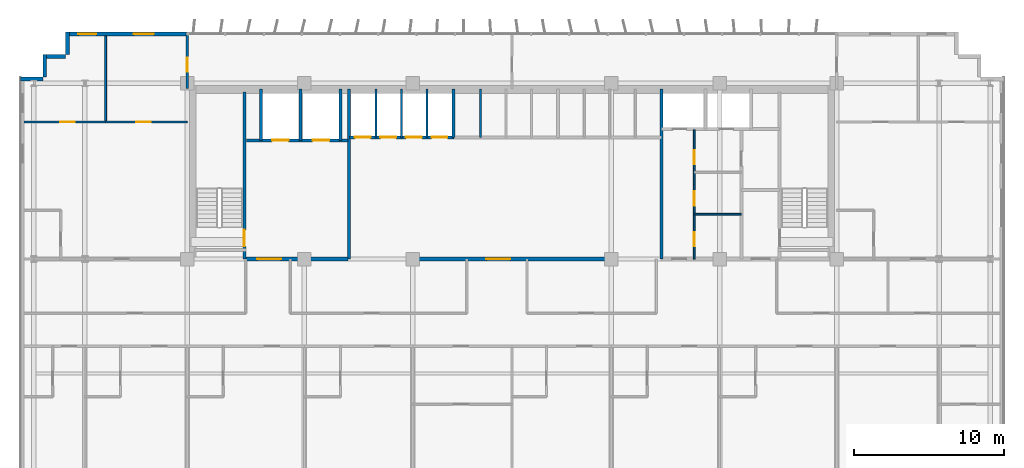
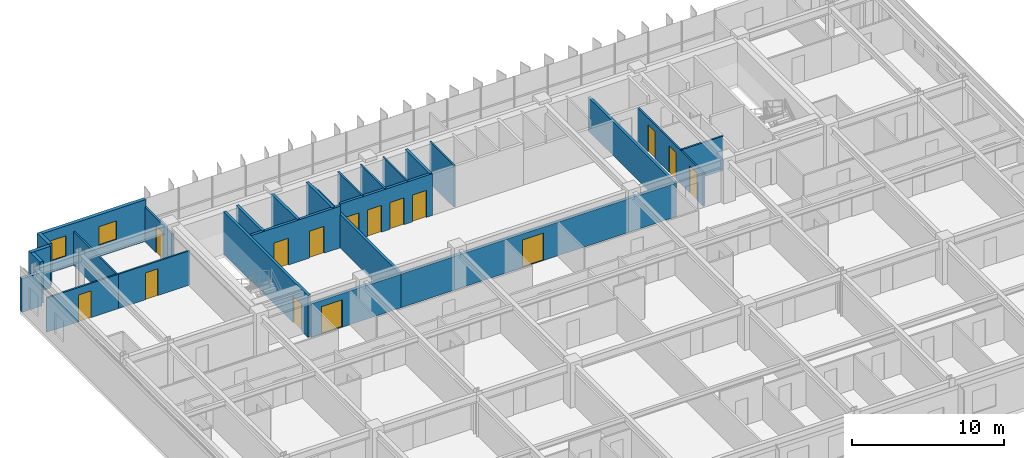
# One storey, part 19 of 24: 26 walls, 15 doors, 2 windows, 17 openings.
"""IFC4 building model written with IfcOpenShell, lengths in metres."""

from ifc_helpers import new_model, si_unit, direction, frame, frame_2d, origin, place, context, subcontext, project, spatial, rectangle, extrude, source, transform, mapped, material, layer, layer_set, type_object, element, fill, save


model = new_model("IFC4")

# Units and contexts
model_context = context("Model", 3, precision=1e-05, world=origin(), true_north=direction((0.0, 1.0)))
body_context = subcontext(model_context, "Body", "Model", "MODEL_VIEW")
ifc_project = project(units=[si_unit("LENGTHUNIT", "METRE"), si_unit("AREAUNIT", "SQUARE_METRE"), si_unit("VOLUMEUNIT", "CUBIC_METRE"), si_unit("PLANEANGLEUNIT", "RADIAN"), si_unit("MASSUNIT", "GRAM", prefix="KILO")], contexts=[model_context])

# Site, building, storey
site_placement = place(None, origin())
site = spatial("IfcSite", under=ifc_project, at=site_placement, CompositionType="ELEMENT")
building_placement = place(site_placement, origin())
building = spatial("IfcBuilding", under=site, at=building_placement, Name="Trelvane Seafront Commons", CompositionType="ELEMENT")
storey_placement = place(building_placement, frame((0.0, 0.0, 30.699951171875)))
storey = spatial("IfcBuildingStorey", under=building, at=storey_placement, Name="L07", CompositionType="ELEMENT", Elevation=30.699951171875)

# Wall, openings, windows
ifc_material_1 = material(Name="Precast concrete C40/50", Category="concrete")
ifc_layer_1 = layer(ifc_material_1, 0.260009765625, Name="ARCH-WALL-EXT260")
ifc_layer_set_1 = layer_set([ifc_layer_1], Name="Precast concrete C40/50")
wall_type_1 = type_object("IfcWallType", Name="ARCH-WALL-EXT260", PredefinedType="SOLIDWALL", material=ifc_layer_set_1)
wall_1_placement = place(storey_placement, frame((7.60009765625, 48.3701171875, 0.0), z_axis=(0.0, 0.0, 1.0), x_axis=(1.0, 0.0, 0.0)))
wall_1 = element("IfcWall", 1, at=wall_1_placement, inside=storey, type_object=wall_type_1, Name="EW-L07-NW-0087", PredefinedType="SOLIDWALL", context=body_context, shape_type="SweptSolid", body=[
    extrude(rectangle(XDim=8.0, YDim=0.260009765625, at=frame_2d((4.0, 0.0))), origin(), (0.0, 0.0, 1.0), 3.340087890625),
])
opening_1_placement = place(wall_1_placement, frame((0.76806640625, 0.0, 0.89990234375)))
opening_1 = element("IfcOpeningElement", 2, at=opening_1_placement, cuts=wall_1, Name="Opening W05", PredefinedType="OPENING", context=body_context, shape_type="SweptSolid", body=[
    extrude(rectangle(XDim=1.199951171875, YDim=1.64990234375, at=frame_2d((0.60009765625, 0.824951171875))), frame((0.0, 0.139892578125, 0.0), z_axis=(0.0, -1.0, 0.0), x_axis=(1.0, 0.0, 0.0)), (0.0, 0.0, 1.0), 0.280029296875),
])
opening_2_placement = place(wall_1_placement, frame((4.44091796875, 0.0, 0.89990234375)))
opening_2 = element("IfcOpeningElement", 3, at=opening_2_placement, cuts=wall_1, Name="Opening W09", PredefinedType="OPENING", context=body_context, shape_type="SweptSolid", body=[
    extrude(rectangle(XDim=1.35009765625, YDim=1.5, at=frame_2d((0.675048828125, 0.75))), frame((0.0, 0.139892578125, 0.0), z_axis=(0.0, -1.0, 0.0), x_axis=(1.0, 0.0, 0.0)), (0.0, 0.0, 1.0), 0.280029296875),
])
ifc_material_2 = material(Name="Low-E coastal double glazing", Category="glass")
window_type_1 = type_object("IfcWindowType", Name="ARCH-WIN-W09", PartitioningType="SINGLE_PANEL", PredefinedType="WINDOW", material=ifc_material_2)
shared_shape_1 = source(origin(), body_context, "Body", "SweptSolid", [
    extrude(rectangle(XDim=1.35009765625, YDim=1.5, at=frame_2d((0.675048828125, 0.75))), frame((0.0, 0.030029296875, 0.0), z_axis=(0.0, -1.0, 0.0), x_axis=(1.0, 0.0, 0.0)), (0.0, 0.0, 1.0), 0.06005859375),
])
window_1_placement = place(opening_2_placement, origin())
window_1 = element("IfcWindow", 4, at=window_1_placement, inside=storey, type_object=window_type_1, Name="WIN-L07-00129", OverallHeight=1.5, OverallWidth=1.35009765625, PartitioningType="SINGLE_PANEL", PredefinedType="WINDOW", context=body_context, shape_type="MappedRepresentation", body=[
    mapped(shared_shape_1, transform((0.0, 0.0, 0.0), x_axis=(1.0, 0.0, 0.0), y_axis=(0.0, 1.0, 0.0), z_axis=(0.0, 0.0, 1.0), scale=1.0)),
])
fill(opening_2, window_1)
window_type_2 = type_object("IfcWindowType", Name="ARCH-WIN-W05", PartitioningType="SINGLE_PANEL", PredefinedType="WINDOW", material=ifc_material_2)
shared_shape_2 = source(origin(), body_context, "Body", "SweptSolid", [
    extrude(rectangle(XDim=1.199951171875, YDim=1.64990234375, at=frame_2d((0.60009765625, 0.824951171875))), frame((0.0, 0.030029296875, 0.0), z_axis=(0.0, -1.0, 0.0), x_axis=(1.0, 0.0, 0.0)), (0.0, 0.0, 1.0), 0.06005859375),
])
window_2_placement = place(opening_1_placement, origin())
window_2 = element("IfcWindow", 5, at=window_2_placement, inside=storey, type_object=window_type_2, Name="WIN-L07-00128", OverallHeight=1.64990234375, OverallWidth=1.199951171875, PartitioningType="SINGLE_PANEL", PredefinedType="WINDOW", context=body_context, shape_type="MappedRepresentation", body=[
    mapped(shared_shape_2, transform((0.0, 0.0, 0.0), x_axis=(1.0, 0.0, 0.0), y_axis=(0.0, 1.0, 0.0), z_axis=(0.0, 0.0, 1.0), scale=1.0)),
])
fill(opening_1, window_2)

# Walls
wall_2_placement = place(storey_placement, frame((4.5, 45.3701171875, 0.0), z_axis=(0.0, 0.0, 1.0), x_axis=(1.0, 0.0, 0.0)))
element("IfcWall", 6, at=wall_2_placement, inside=storey, type_object=wall_type_1, Name="EW-L07-00093", PredefinedType="SOLIDWALL", context=body_context, shape_type="SweptSolid", body=[
    extrude(rectangle(XDim=1.5, YDim=0.260009765625, at=frame_2d((0.75, 0.0))), origin(), (0.0, 0.0, 1.0), 2.68994140625),
])
for number, where, z_axis, x_axis, name in (
    (7, (6.1298828125, 45.5, 0.0), (0.0, 0.0, 1.0), (0.0, 1.0, 0.0), "EW-L07-00094"),
    (8, (6.0, 46.8701171875, 0.0), (0.0, 0.0, 1.0), (1.0, 0.0, 0.0), "EW-L07-00095"),
    (9, (7.6298828125, 47.0, 0.0), (0.0, 0.0, 1.0), (0.0, 1.0, 0.0), "EW-L07-00096"),
):
    element("IfcWall", number, at=place(storey_placement, frame(where, z_axis=z_axis, x_axis=x_axis)), inside=storey, type_object=wall_type_1, Name=name, PredefinedType="SOLIDWALL", context=body_context, shape_type="SweptSolid", body=[
        extrude(rectangle(XDim=1.5, YDim=0.260009765625, at=frame_2d((0.75, 0.0))), origin(), (0.0, 0.0, 1.0), 3.340087890625),
    ])

# Wall, opening, door
ifc_material_3 = material(Name="Concrete C40/50", Category="concrete")
ifc_layer_2 = layer(ifc_material_3, 0.25, Name="ARCH-WALL-FIRE250")
ifc_layer_set_2 = layer_set([ifc_layer_2], Name="Concrete C40/50")
wall_type_2 = type_object("IfcWallType", Name="ARCH-WALL-FIRE250", PredefinedType="PARTITIONING", material=ifc_layer_set_2)
wall_3_placement = place(storey_placement, frame((19.5, 33.39990234375, 0.0), z_axis=(0.0, 0.0, 1.0), x_axis=(1.0, 0.0, 0.0)))
wall_3 = element("IfcWall", 10, at=wall_3_placement, inside=storey, type_object=wall_type_2, Name="W-L07-CS-FFL-013", PredefinedType="PARTITIONING", context=body_context, shape_type="SweptSolid", body=[
    extrude(rectangle(XDim=6.800048828125, YDim=0.25, at=frame_2d((3.39990234375, 0.0))), origin(), (0.0, 0.0, 1.0), 2.68994140625),
])
opening_3_placement = place(wall_3_placement, frame((0.75, 0.0, 0.0)))
opening_3 = element("IfcOpeningElement", 11, at=opening_3_placement, cuts=wall_3, Name="Opening FD-L07-05", PredefinedType="OPENING", context=body_context, shape_type="SweptSolid", body=[
    extrude(rectangle(XDim=1.60009765625, YDim=2.199951171875, at=frame_2d((0.800048828125, 1.10009765625))), frame((0.0, 0.135009765625, 0.0), z_axis=(0.0, -1.0, 0.0), x_axis=(1.0, 0.0, 0.0)), (0.0, 0.0, 1.0), 0.27001953125),
])
ifc_material_4 = material(Name="Powder-coated aluminium frame", Category="aluminium")
door_type_1 = type_object("IfcDoorType", Name="ARCH-DR-FD60-1600", OperationType="DOUBLE_DOOR_SINGLE_SWING", PredefinedType="DOOR", material=ifc_material_4)
shared_shape_3 = source(origin(), body_context, "Body", "SweptSolid", [
    extrude(rectangle(XDim=1.60009765625, YDim=2.199951171875, at=frame_2d((0.800048828125, 1.10009765625))), frame((0.0, 0.02490234375, 0.0), z_axis=(0.0, -1.0, 0.0), x_axis=(1.0, 0.0, 0.0)), (0.0, 0.0, 1.0), 0.050048828125),
])
door_1_placement = place(opening_3_placement, origin())
door_1 = element("IfcDoor", 12, at=door_1_placement, inside=storey, type_object=door_type_1, Name="L07 Firefighting Lift Lobby Double Fire Door", OperationType="DOUBLE_DOOR_SINGLE_SWING", OverallHeight=2.199951171875, OverallWidth=1.60009765625, PredefinedType="DOOR", context=body_context, shape_type="MappedRepresentation", body=[
    mapped(shared_shape_3, transform((0.0, 0.0, 0.0), x_axis=(1.0, 0.0, 0.0), y_axis=(0.0, 1.0, 0.0), z_axis=(0.0, 0.0, 1.0), scale=1.0)),
])
fill(opening_3, door_1)

wall_4_placement = place(storey_placement, frame((26.300048828125, 33.39990234375, 0.0), z_axis=(0.0, 0.0, 1.0), x_axis=(1.0, 0.0, 0.0)))
wall_4 = element("IfcWall", 13, at=wall_4_placement, inside=storey, type_object=wall_type_2, Name="W-L07-CS-PAX-029", PredefinedType="PARTITIONING", context=body_context, shape_type="SweptSolid", body=[
    extrude(rectangle(XDim=20.849853515625, YDim=0.25, at=frame_2d((10.4248046875, 0.0))), origin(), (0.0, 0.0, 1.0), 2.68994140625),
])
opening_4_placement = place(wall_4_placement, frame((9.199951171875, 0.0, 0.0)))
opening_4 = element("IfcOpeningElement", 14, at=opening_4_placement, cuts=wall_4, Name="Opening FD-L07-10", PredefinedType="OPENING", context=body_context, shape_type="SweptSolid", body=[
    extrude(rectangle(XDim=1.60009765625, YDim=2.199951171875, at=frame_2d((0.800048828125, 1.10009765625))), frame((0.0, 0.135009765625, 0.0), z_axis=(0.0, -1.0, 0.0), x_axis=(1.0, 0.0, 0.0)), (0.0, 0.0, 1.0), 0.27001953125),
])
door_2_placement = place(opening_4_placement, origin())
door_2 = element("IfcDoor", 15, at=door_2_placement, inside=storey, type_object=door_type_1, Name="L07 Passenger Lift Lobby Double Door", OperationType="DOUBLE_DOOR_SINGLE_SWING", OverallHeight=2.199951171875, OverallWidth=1.60009765625, PredefinedType="DOOR", context=body_context, shape_type="MappedRepresentation", body=[
    mapped(shared_shape_3, transform((0.0, 0.0, 0.0), x_axis=(1.0, 0.0, 0.0), y_axis=(0.0, 1.0, 0.0), z_axis=(0.0, 0.0, 1.0), scale=1.0)),
])
fill(opening_4, door_2)

# Walls
ifc_material_5 = material(Name="Gypsum Drywall Acoustic Partition")
ifc_layer_3 = layer(ifc_material_5, 0.1201171875, Name="ARCH-WALL-PART120")
ifc_layer_set_3 = layer_set([ifc_layer_3], Name="Gypsum Drywall Acoustic Partition")
wall_type_3 = type_object("IfcWallType", Name="ARCH-WALL-PART120", PredefinedType="PARTITIONING", material=ifc_layer_set_3)
for number, where, z_axis, x_axis, name in (
    (16, (28.14990234375, 41.5, 0.0), (0.0, 0.0, 1.0), (0.0, 1.0, 0.0), "W-L07-PL-DIV1-016"),
    (17, (29.85009765625, 41.5, 0.0), (0.0, 0.0, 1.0), (0.0, 1.0, 0.0), "W-L07-PL-DIV2-017"),
    (18, (31.550048828125, 41.5, 0.0), (0.0, 0.0, 1.0), (0.0, 1.0, 0.0), "W-L07-PL-DIV3-018"),
    (19, (35.10009765625, 41.5, 0.0), (0.0, 0.0, 1.0), (0.0, 1.0, 0.0), "W-L07-PM-DIV1-020"),
):
    element("IfcWall", number, at=place(storey_placement, frame(where, z_axis=z_axis, x_axis=x_axis)), inside=storey, type_object=wall_type_3, Name=name, PredefinedType="PARTITIONING", context=body_context, shape_type="SweptSolid", body=[
        extrude(rectangle(XDim=3.199951171875, YDim=0.1201171875, at=frame_2d((1.60009765625, 0.0))), origin(), (0.0, 0.0, 1.0), 3.340087890625),
    ])

# Wall, openings, doors
wall_5_placement = place(storey_placement, frame((49.320068359375, 33.39990234375, 0.0), z_axis=(0.0, 0.0, 1.0), x_axis=(0.0, 1.0, 0.0)))
wall_5 = element("IfcWall", 20, at=wall_5_placement, inside=storey, type_object=wall_type_3, Name="W-L07-CYC3-V-035", PredefinedType="PARTITIONING", context=body_context, shape_type="SweptSolid", body=[
    extrude(rectangle(XDim=8.60009765625, YDim=0.1201171875, at=frame_2d((4.300048828125, 0.0))), origin(), (0.0, 0.0, 1.0), 2.68994140625),
])
opening_5_placement = place(wall_5_placement, frame((0.85009765625, 0.0, 0.0)))
opening_5 = element("IfcOpeningElement", 21, at=opening_5_placement, cuts=wall_5, Name="Opening D-L07-14", PredefinedType="OPENING", context=body_context, shape_type="SweptSolid", body=[
    extrude(rectangle(XDim=0.949951171875, YDim=2.14990234375, at=frame_2d((0.47509765625, 1.074951171875))), frame((0.0, 0.070068359375, 0.0), z_axis=(0.0, -1.0, 0.0), x_axis=(1.0, 0.0, 0.0)), (0.0, 0.0, 1.0), 0.14013671875),
])
opening_6_placement = place(wall_5_placement, frame((3.550048828125, 0.0, 0.0)))
opening_6 = element("IfcOpeningElement", 22, at=opening_6_placement, cuts=wall_5, Name="Opening D-L07-15", PredefinedType="OPENING", context=body_context, shape_type="SweptSolid", body=[
    extrude(rectangle(XDim=0.949951171875, YDim=2.14990234375, at=frame_2d((0.47509765625, 1.074951171875))), frame((0.0, 0.070068359375, 0.0), z_axis=(0.0, -1.0, 0.0), x_axis=(1.0, 0.0, 0.0)), (0.0, 0.0, 1.0), 0.14013671875),
])
opening_7_placement = place(wall_5_placement, frame((6.300048828125, 0.0, 0.0)))
opening_7 = element("IfcOpeningElement", 23, at=opening_7_placement, cuts=wall_5, Name="Opening D-L07-16", PredefinedType="OPENING", context=body_context, shape_type="SweptSolid", body=[
    extrude(rectangle(XDim=0.949951171875, YDim=2.14990234375, at=frame_2d((0.47509765625, 1.074951171875))), frame((0.0, 0.070068359375, 0.0), z_axis=(0.0, -1.0, 0.0), x_axis=(1.0, 0.0, 0.0)), (0.0, 0.0, 1.0), 0.14013671875),
])
ifc_material_6 = material(Name="Acoustic timber door leaf", Category="wood")
door_type_2 = type_object("IfcDoorType", Name="ARCH-DR-INT950", OperationType="NOTDEFINED", PredefinedType="DOOR", material=ifc_material_6)
shared_shape_4 = source(origin(), body_context, "Body", "SweptSolid", [
    extrude(rectangle(XDim=0.949951171875, YDim=2.14990234375, at=frame_2d((0.47509765625, 1.074951171875))), frame((0.0, 0.02490234375, 0.0), z_axis=(0.0, -1.0, 0.0), x_axis=(1.0, 0.0, 0.0)), (0.0, 0.0, 1.0), 0.050048828125),
])
door_3_placement = place(opening_5_placement, origin())
door_3 = element("IfcDoor", 24, at=door_3_placement, inside=storey, type_object=door_type_2, Name="L07 Accessible WC Door", OperationType="SINGLE_SWING_RIGHT", OverallHeight=2.14990234375, OverallWidth=0.949951171875, PredefinedType="DOOR", context=body_context, shape_type="MappedRepresentation", body=[
    mapped(shared_shape_4, transform((0.0, 0.0, 0.0), x_axis=(1.0, 0.0, 0.0), y_axis=(0.0, 1.0, 0.0), z_axis=(0.0, 0.0, 1.0), scale=1.0)),
])
fill(opening_5, door_3)
door_4_placement = place(opening_6_placement, origin())
door_4 = element("IfcDoor", 25, at=door_4_placement, inside=storey, type_object=door_type_2, Name="L07 Staff WC Door", OperationType="SINGLE_SWING_LEFT", OverallHeight=2.14990234375, OverallWidth=0.949951171875, PredefinedType="DOOR", context=body_context, shape_type="MappedRepresentation", body=[
    mapped(shared_shape_4, transform((0.0, 0.0, 0.0), x_axis=(1.0, 0.0, 0.0), y_axis=(0.0, 1.0, 0.0), z_axis=(0.0, 0.0, 1.0), scale=1.0)),
])
fill(opening_6, door_4)
door_5_placement = place(opening_7_placement, origin())
door_5 = element("IfcDoor", 26, at=door_5_placement, inside=storey, type_object=door_type_2, Name="L07 Electrical Room Door", OperationType="SINGLE_SWING_RIGHT", OverallHeight=2.14990234375, OverallWidth=0.949951171875, PredefinedType="DOOR", context=body_context, shape_type="MappedRepresentation", body=[
    mapped(shared_shape_4, transform((0.0, 0.0, 0.0), x_axis=(1.0, 0.0, 0.0), y_axis=(0.0, 1.0, 0.0), z_axis=(0.0, 0.0, 1.0), scale=1.0)),
])
fill(opening_7, door_5)

# Wall
wall_6_placement = place(storey_placement, frame((49.320068359375, 36.3798828125, 0.0), z_axis=(0.0, 0.0, 1.0), x_axis=(1.0, 0.0, 0.0)))
element("IfcWall", 27, at=wall_6_placement, inside=storey, type_object=wall_type_3, Name="W-L07-CYC3-H1-036", PredefinedType="PARTITIONING", context=body_context, shape_type="SweptSolid", body=[
    extrude(rectangle(XDim=3.1298828125, YDim=0.1201171875, at=frame_2d((1.56494140625, 0.0))), origin(), (0.0, 0.0, 1.0), 2.751953125),
])

# Wall, opening, door
wall_7_placement = place(storey_placement, frame((4.75, 42.52001953125, 0.0), z_axis=(0.0, 0.0, 1.0), x_axis=(1.0, 0.0, 0.0)))
wall_7 = element("IfcWall", 28, at=wall_7_placement, inside=storey, type_object=wall_type_3, Name="W-L07-NW-KB1-052", PredefinedType="PARTITIONING", context=body_context, shape_type="SweptSolid", body=[
    extrude(rectangle(XDim=5.425048828125, YDim=0.1201171875, at=frame_2d((2.71240234375, 0.0))), origin(), (0.0, 0.0, 1.0), 2.751953125),
])
opening_8_placement = place(wall_7_placement, frame((2.423095703125, 0.0, 0.0)))
opening_8 = element("IfcOpeningElement", 29, at=opening_8_placement, cuts=wall_7, Name="Opening D-L07-25", PredefinedType="OPENING", context=body_context, shape_type="SweptSolid", body=[
    extrude(rectangle(XDim=0.949951171875, YDim=2.14990234375, at=frame_2d((0.47509765625, 1.074951171875))), frame((0.0, 0.070068359375, 0.0), z_axis=(0.0, -1.0, 0.0), x_axis=(1.0, 0.0, 0.0)), (0.0, 0.0, 1.0), 0.14013671875),
])
door_6_placement = place(opening_8_placement, origin())
door_6 = element("IfcDoor", 30, at=door_6_placement, inside=storey, type_object=door_type_2, Name="L07 Door 25", OperationType="SINGLE_SWING_LEFT", OverallHeight=2.14990234375, OverallWidth=0.949951171875, PredefinedType="DOOR", context=body_context, shape_type="MappedRepresentation", body=[
    mapped(shared_shape_4, transform((0.0, 0.0, 0.0), x_axis=(1.0, 0.0, 0.0), y_axis=(0.0, 1.0, 0.0), z_axis=(0.0, 0.0, 1.0), scale=1.0)),
])
fill(opening_8, door_6)

wall_8_placement = place(storey_placement, frame((10.175048828125, 42.52001953125, 0.0), z_axis=(0.0, 0.0, 1.0), x_axis=(1.0, 0.0, 0.0)))
wall_8 = element("IfcWall", 31, at=wall_8_placement, inside=storey, type_object=wall_type_3, Name="W-L07-NW-KB2-053", PredefinedType="PARTITIONING", context=body_context, shape_type="SweptSolid", body=[
    extrude(rectangle(XDim=5.425048828125, YDim=0.1201171875, at=frame_2d((2.71240234375, 0.0))), origin(), (0.0, 0.0, 1.0), 2.751953125),
])
opening_9_placement = place(wall_8_placement, frame((2.052001953125, 0.0, 0.0)))
opening_9 = element("IfcOpeningElement", 32, at=opening_9_placement, cuts=wall_8, Name="Opening D-L07-26", PredefinedType="OPENING", context=body_context, shape_type="SweptSolid", body=[
    extrude(rectangle(XDim=0.949951171875, YDim=2.14990234375, at=frame_2d((0.47509765625, 1.074951171875))), frame((0.0, 0.070068359375, 0.0), z_axis=(0.0, -1.0, 0.0), x_axis=(1.0, 0.0, 0.0)), (0.0, 0.0, 1.0), 0.14013671875),
])
door_7_placement = place(opening_9_placement, origin())
door_7 = element("IfcDoor", 33, at=door_7_placement, inside=storey, type_object=door_type_2, Name="L07 Door 26", OperationType="SINGLE_SWING_RIGHT", OverallHeight=2.14990234375, OverallWidth=0.949951171875, PredefinedType="DOOR", context=body_context, shape_type="MappedRepresentation", body=[
    mapped(shared_shape_4, transform((0.0, 0.0, 0.0), x_axis=(1.0, 0.0, 0.0), y_axis=(0.0, 1.0, 0.0), z_axis=(0.0, 0.0, 1.0), scale=1.0)),
])
fill(opening_9, door_7)

# Wall
wall_9_placement = place(storey_placement, frame((10.175048828125, 42.52001953125, 0.0), z_axis=(0.0, 0.0, 1.0), x_axis=(0.0, 1.0, 0.0)))
element("IfcWall", 34, at=wall_9_placement, inside=storey, type_object=wall_type_3, Name="W-L07-NW-KBDV-054", PredefinedType="PARTITIONING", context=body_context, shape_type="SweptSolid", body=[
    extrude(rectangle(XDim=5.719970703125, YDim=0.1201171875, at=frame_2d((2.85986328125, 0.0))), origin(), (0.0, 0.0, 1.0), 2.68994140625),
])

# Wall, opening, door
ifc_layer_4 = layer(ifc_material_5, 0.14990234375, Name="ARCH-WALL-PART150")
ifc_layer_set_4 = layer_set([ifc_layer_4], Name="Gypsum Drywall Acoustic Partition")
wall_type_4 = type_object("IfcWallType", Name="ARCH-WALL-PART150", PredefinedType="PARTITIONING", material=ifc_layer_set_4)
wall_10_placement = place(storey_placement, frame((15.60009765625, 44.75, 0.0), z_axis=(0.0, 0.0, 1.0), x_axis=(0.0, 1.0, 0.0)))
wall_10 = element("IfcWall", 35, at=wall_10_placement, inside=storey, type_object=wall_type_4, Name="W-L07-N-LINK-W-063", PredefinedType="PARTITIONING", context=body_context, shape_type="SweptSolid", body=[
    extrude(rectangle(XDim=3.610107421875, YDim=0.14990234375, at=frame_2d((1.80517578125, 0.0))), origin(), (0.0, 0.0, 1.0), 2.751953125),
])
opening_10_placement = place(wall_10_placement, frame((1.10009765625, 0.0, 0.0)))
opening_10 = element("IfcOpeningElement", 36, at=opening_10_placement, cuts=wall_10, Name="Opening FD-L07-33", PredefinedType="OPENING", context=body_context, shape_type="SweptSolid", body=[
    extrude(rectangle(XDim=0.949951171875, YDim=2.14990234375, at=frame_2d((0.47509765625, 1.074951171875))), frame((0.0, 0.0849609375, 0.0), z_axis=(0.0, -1.0, 0.0), x_axis=(1.0, 0.0, 0.0)), (0.0, 0.0, 1.0), 0.169921875),
])
door_type_3 = type_object("IfcDoorType", Name="ARCH-DR-FD60-950", OperationType="NOTDEFINED", PredefinedType="DOOR", material=ifc_material_4)
door_8_placement = place(opening_10_placement, origin())
door_8 = element("IfcDoor", 37, at=door_8_placement, inside=storey, type_object=door_type_3, Name="L07 Door 33", OperationType="SINGLE_SWING_LEFT", OverallHeight=2.14990234375, OverallWidth=0.949951171875, PredefinedType="DOOR", context=body_context, shape_type="MappedRepresentation", body=[
    mapped(shared_shape_4, transform((0.0, 0.0, 0.0), x_axis=(1.0, 0.0, 0.0), y_axis=(0.0, 1.0, 0.0), z_axis=(0.0, 0.0, 1.0), scale=1.0)),
])
fill(opening_10, door_8)

# Wall, openings, doors
ifc_layer_5 = layer(ifc_material_3, 0.199951171875, Name="ARCH-WALL-SHAFT200")
ifc_layer_set_5 = layer_set([ifc_layer_5], Name="Concrete C40/50")
wall_type_5 = type_object("IfcWallType", Name="ARCH-WALL-SHAFT200", PredefinedType="SOLIDWALL", material=ifc_layer_set_5)
wall_11_placement = place(storey_placement, frame((19.550048828125, 41.300048828125, 0.0), z_axis=(0.0, 0.0, 1.0), x_axis=(1.0, 0.0, 0.0)))
wall_11 = element("IfcWall", 38, at=wall_11_placement, inside=storey, type_object=wall_type_5, Name="W-L07-FFL-FRONT-008", PredefinedType="SOLIDWALL", context=body_context, shape_type="SweptSolid", body=[
    extrude(rectangle(XDim=6.75, YDim=0.199951171875, at=frame_2d((3.375, 0.0))), origin(), (0.0, 0.0, 1.0), 3.340087890625),
])
opening_11_placement = place(wall_11_placement, frame((1.699951171875, 0.0, 0.0)))
opening_11 = element("IfcOpeningElement", 39, at=opening_11_placement, cuts=wall_11, Name="Opening LD-FF1-L07", PredefinedType="OPENING", context=body_context, shape_type="SweptSolid", body=[
    extrude(rectangle(XDim=1.10009765625, YDim=2.14990234375, at=frame_2d((0.550048828125, 1.074951171875))), frame((0.0, 0.10986328125, 0.0), z_axis=(0.0, -1.0, 0.0), x_axis=(1.0, 0.0, 0.0)), (0.0, 0.0, 1.0), 0.219970703125),
])
opening_12_placement = place(wall_11_placement, frame((4.39990234375, 0.0, 0.0)))
opening_12 = element("IfcOpeningElement", 40, at=opening_12_placement, cuts=wall_11, Name="Opening LD-FF2-L07", PredefinedType="OPENING", context=body_context, shape_type="SweptSolid", body=[
    extrude(rectangle(XDim=1.10009765625, YDim=2.14990234375, at=frame_2d((0.550048828125, 1.074951171875))), frame((0.0, 0.10986328125, 0.0), z_axis=(0.0, -1.0, 0.0), x_axis=(1.0, 0.0, 0.0)), (0.0, 0.0, 1.0), 0.219970703125),
])
ifc_material_7 = material(Name="Stainless steel balustrade", Category="steel")
door_type_4 = type_object("IfcDoorType", Name="ARCH-DR-LD1100", OperationType="DOUBLE_DOOR_SLIDING", PredefinedType="DOOR", material=ifc_material_7)
shared_shape_5 = source(origin(), body_context, "Body", "SweptSolid", [
    extrude(rectangle(XDim=1.10009765625, YDim=2.14990234375, at=frame_2d((0.550048828125, 1.074951171875))), frame((0.0, 0.02490234375, 0.0), z_axis=(0.0, -1.0, 0.0), x_axis=(1.0, 0.0, 0.0)), (0.0, 0.0, 1.0), 0.050048828125),
])
door_9_placement = place(opening_11_placement, origin())
door_9 = element("IfcDoor", 41, at=door_9_placement, inside=storey, type_object=door_type_4, Name="L07 Firefighting Lift FFL-1 Landing Door", OperationType="DOUBLE_DOOR_SLIDING", OverallHeight=2.14990234375, OverallWidth=1.10009765625, PredefinedType="DOOR", context=body_context, shape_type="MappedRepresentation", body=[
    mapped(shared_shape_5, transform((0.0, 0.0, 0.0), x_axis=(1.0, 0.0, 0.0), y_axis=(0.0, 1.0, 0.0), z_axis=(0.0, 0.0, 1.0), scale=1.0)),
])
fill(opening_11, door_9)
door_10_placement = place(opening_12_placement, origin())
door_10 = element("IfcDoor", 42, at=door_10_placement, inside=storey, type_object=door_type_4, Name="L07 Firefighting Lift FFL-2 Landing Door", OperationType="DOUBLE_DOOR_SLIDING", OverallHeight=2.14990234375, OverallWidth=1.10009765625, PredefinedType="DOOR", context=body_context, shape_type="MappedRepresentation", body=[
    mapped(shared_shape_5, transform((0.0, 0.0, 0.0), x_axis=(1.0, 0.0, 0.0), y_axis=(0.0, 1.0, 0.0), z_axis=(0.0, 0.0, 1.0), scale=1.0)),
])
fill(opening_12, door_10)

# Walls
for number, where, z_axis, x_axis, name in (
    (43, (20.5, 41.300048828125, 0.0), (0.0, 0.0, 1.0), (0.0, 1.0, 0.0), "W-L07-FFL-SH-W-009"),
    (44, (23.14990234375, 41.300048828125, 0.0), (0.0, 0.0, 1.0), (0.0, 1.0, 0.0), "W-L07-FFL-DIV-010"),
    (45, (25.800048828125, 41.300048828125, 0.0), (0.0, 0.0, 1.0), (0.0, 1.0, 0.0), "W-L07-FFL-SH-E-011"),
):
    element("IfcWall", number, at=place(storey_placement, frame(where, z_axis=z_axis, x_axis=x_axis)), inside=storey, type_object=wall_type_5, Name=name, PredefinedType="SOLIDWALL", context=body_context, shape_type="SweptSolid", body=[
        extrude(rectangle(XDim=3.39990234375, YDim=0.199951171875, at=frame_2d((1.699951171875, 0.0))), origin(), (0.0, 0.0, 1.0), 3.340087890625),
    ])
wall_12_placement = place(storey_placement, frame((26.35009765625, 33.39990234375, 0.0), z_axis=(0.0, 0.0, 1.0), x_axis=(0.0, 1.0, 0.0)))
element("IfcWall", 46, at=wall_12_placement, inside=storey, type_object=wall_type_5, Name="W-L07-FFL-EAST-012", PredefinedType="SOLIDWALL", context=body_context, shape_type="SweptSolid", body=[
    extrude(rectangle(XDim=11.300048828125, YDim=0.199951171875, at=frame_2d((5.64990234375, 0.0))), origin(), (0.0, 0.0, 1.0), 2.68994140625),
])

# Wall, openings, doors
wall_13_placement = place(storey_placement, frame((26.39990234375, 41.5, 0.0), z_axis=(0.0, 0.0, 1.0), x_axis=(1.0, 0.0, 0.0)))
wall_13 = element("IfcWall", 47, at=wall_13_placement, inside=storey, type_object=wall_type_5, Name="W-L07-PL-FRONT-014", PredefinedType="SOLIDWALL", context=body_context, shape_type="SweptSolid", body=[
    extrude(rectangle(XDim=6.9501953125, YDim=0.199951171875, at=frame_2d((3.47509765625, 0.0))), origin(), (0.0, 0.0, 1.0), 3.340087890625),
])
opening_13_placement = place(wall_13_placement, frame((0.35009765625, 0.0, 0.0)))
opening_13 = element("IfcOpeningElement", 48, at=opening_13_placement, cuts=wall_13, Name="Opening LD-PL1-L07", PredefinedType="OPENING", context=body_context, shape_type="SweptSolid", body=[
    extrude(rectangle(XDim=1.050048828125, YDim=2.14990234375, at=frame_2d((0.52490234375, 1.074951171875))), frame((0.0, 0.10986328125, 0.0), z_axis=(0.0, -1.0, 0.0), x_axis=(1.0, 0.0, 0.0)), (0.0, 0.0, 1.0), 0.219970703125),
])
opening_14_placement = place(wall_13_placement, frame((2.050048828125, 0.0, 0.0)))
opening_14 = element("IfcOpeningElement", 49, at=opening_14_placement, cuts=wall_13, Name="Opening LD-PL2-L07", PredefinedType="OPENING", context=body_context, shape_type="SweptSolid", body=[
    extrude(rectangle(XDim=1.050048828125, YDim=2.14990234375, at=frame_2d((0.52490234375, 1.074951171875))), frame((0.0, 0.10986328125, 0.0), z_axis=(0.0, -1.0, 0.0), x_axis=(1.0, 0.0, 0.0)), (0.0, 0.0, 1.0), 0.219970703125),
])
opening_15_placement = place(wall_13_placement, frame((3.75, 0.0, 0.0)))
opening_15 = element("IfcOpeningElement", 50, at=opening_15_placement, cuts=wall_13, Name="Opening LD-PL3-L07", PredefinedType="OPENING", context=body_context, shape_type="SweptSolid", body=[
    extrude(rectangle(XDim=1.050048828125, YDim=2.14990234375, at=frame_2d((0.52490234375, 1.074951171875))), frame((0.0, 0.10986328125, 0.0), z_axis=(0.0, -1.0, 0.0), x_axis=(1.0, 0.0, 0.0)), (0.0, 0.0, 1.0), 0.219970703125),
])
opening_16_placement = place(wall_13_placement, frame((5.449951171875, 0.0, 0.0)))
opening_16 = element("IfcOpeningElement", 51, at=opening_16_placement, cuts=wall_13, Name="Opening LD-PL4-L07", PredefinedType="OPENING", context=body_context, shape_type="SweptSolid", body=[
    extrude(rectangle(XDim=1.050048828125, YDim=2.14990234375, at=frame_2d((0.52490234375, 1.074951171875))), frame((0.0, 0.10986328125, 0.0), z_axis=(0.0, -1.0, 0.0), x_axis=(1.0, 0.0, 0.0)), (0.0, 0.0, 1.0), 0.219970703125),
])
door_type_5 = type_object("IfcDoorType", Name="ARCH-DR-LD1050", OperationType="DOUBLE_DOOR_SLIDING", PredefinedType="DOOR", material=ifc_material_7)
shared_shape_6 = source(origin(), body_context, "Body", "SweptSolid", [
    extrude(rectangle(XDim=1.050048828125, YDim=2.14990234375, at=frame_2d((0.52490234375, 1.074951171875))), frame((0.0, 0.02490234375, 0.0), z_axis=(0.0, -1.0, 0.0), x_axis=(1.0, 0.0, 0.0)), (0.0, 0.0, 1.0), 0.050048828125),
])
door_11_placement = place(opening_13_placement, origin())
door_11 = element("IfcDoor", 52, at=door_11_placement, inside=storey, type_object=door_type_5, Name="L07 Passenger Lift PL-1 Landing Door", OperationType="DOUBLE_DOOR_SLIDING", OverallHeight=2.14990234375, OverallWidth=1.050048828125, PredefinedType="DOOR", context=body_context, shape_type="MappedRepresentation", body=[
    mapped(shared_shape_6, transform((0.0, 0.0, 0.0), x_axis=(1.0, 0.0, 0.0), y_axis=(0.0, 1.0, 0.0), z_axis=(0.0, 0.0, 1.0), scale=1.0)),
])
fill(opening_13, door_11)
door_12_placement = place(opening_14_placement, origin())
door_12 = element("IfcDoor", 53, at=door_12_placement, inside=storey, type_object=door_type_5, Name="L07 Passenger Lift PL-2 Landing Door", OperationType="DOUBLE_DOOR_SLIDING", OverallHeight=2.14990234375, OverallWidth=1.050048828125, PredefinedType="DOOR", context=body_context, shape_type="MappedRepresentation", body=[
    mapped(shared_shape_6, transform((0.0, 0.0, 0.0), x_axis=(1.0, 0.0, 0.0), y_axis=(0.0, 1.0, 0.0), z_axis=(0.0, 0.0, 1.0), scale=1.0)),
])
fill(opening_14, door_12)
door_13_placement = place(opening_15_placement, origin())
door_13 = element("IfcDoor", 54, at=door_13_placement, inside=storey, type_object=door_type_5, Name="L07 Passenger Lift PL-3 Landing Door", OperationType="DOUBLE_DOOR_SLIDING", OverallHeight=2.14990234375, OverallWidth=1.050048828125, PredefinedType="DOOR", context=body_context, shape_type="MappedRepresentation", body=[
    mapped(shared_shape_6, transform((0.0, 0.0, 0.0), x_axis=(1.0, 0.0, 0.0), y_axis=(0.0, 1.0, 0.0), z_axis=(0.0, 0.0, 1.0), scale=1.0)),
])
fill(opening_15, door_13)
door_14_placement = place(opening_16_placement, origin())
door_14 = element("IfcDoor", 55, at=door_14_placement, inside=storey, type_object=door_type_5, Name="L07 Passenger Lift PL-4 Landing Door", OperationType="DOUBLE_DOOR_SLIDING", OverallHeight=2.14990234375, OverallWidth=1.050048828125, PredefinedType="DOOR", context=body_context, shape_type="MappedRepresentation", body=[
    mapped(shared_shape_6, transform((0.0, 0.0, 0.0), x_axis=(1.0, 0.0, 0.0), y_axis=(0.0, 1.0, 0.0), z_axis=(0.0, 0.0, 1.0), scale=1.0)),
])
fill(opening_16, door_14)

# Walls
wall_14_placement = place(storey_placement, frame((33.300048828125, 41.5, 0.0), z_axis=(0.0, 0.0, 1.0), x_axis=(0.0, 1.0, 0.0)))
element("IfcWall", 56, at=wall_14_placement, inside=storey, type_object=wall_type_5, Name="W-L07-PL-EAST-SH-015", PredefinedType="SOLIDWALL", context=body_context, shape_type="SweptSolid", body=[
    extrude(rectangle(XDim=3.199951171875, YDim=0.199951171875, at=frame_2d((1.60009765625, 0.0))), origin(), (0.0, 0.0, 1.0), 3.340087890625),
])
wall_15_placement = place(storey_placement, frame((47.14990234375, 33.39990234375, 0.0), z_axis=(0.0, 0.0, 1.0), x_axis=(0.0, 1.0, 0.0)))
element("IfcWall", 57, at=wall_15_placement, inside=storey, type_object=wall_type_5, Name="W-L07-PH-EAST-028", PredefinedType="SOLIDWALL", context=body_context, shape_type="SweptSolid", body=[
    extrude(rectangle(XDim=11.300048828125, YDim=0.199951171875, at=frame_2d((5.64990234375, 0.0))), origin(), (0.0, 0.0, 1.0), 2.68994140625),
])

# Wall, opening, door
ifc_material_8 = material(Name="Concrete C50/60", Category="concrete")
ifc_layer_6 = layer(ifc_material_8, 0.199951171875, Name="STR-WALL-STAIR200")
ifc_layer_set_6 = layer_set([ifc_layer_6], Name="Concrete C50/60")
wall_type_6 = type_object("IfcWallType", Name="STR-WALL-STAIR200", PredefinedType="SHEAR", material=ifc_layer_set_6)
wall_16_placement = place(storey_placement, frame((19.39990234375, 33.39990234375, 0.0), z_axis=(0.0, 0.0, 1.0), x_axis=(0.0, 1.0, 0.0)))
wall_16 = element("IfcWall", 58, at=wall_16_placement, inside=storey, type_object=wall_type_6, Name="W-L07-ST1-E-005", PredefinedType="SHEAR", context=body_context, shape_type="SweptSolid", body=[
    extrude(rectangle(XDim=11.10009765625, YDim=0.199951171875, at=frame_2d((5.550048828125, 0.0))), origin(), (0.0, 0.0, 1.0), 3.340087890625),
])
opening_17_placement = place(wall_16_placement, frame((0.85009765625, 0.0, 0.0)))
opening_17 = element("IfcOpeningElement", 59, at=opening_17_placement, cuts=wall_16, Name="Opening ST-D1-L07", PredefinedType="OPENING", context=body_context, shape_type="SweptSolid", body=[
    extrude(rectangle(XDim=1.10009765625, YDim=2.14990234375, at=frame_2d((0.550048828125, 1.074951171875))), frame((0.0, 0.10986328125, 0.0), z_axis=(0.0, -1.0, 0.0), x_axis=(1.0, 0.0, 0.0)), (0.0, 0.0, 1.0), 0.219970703125),
])
door_type_6 = type_object("IfcDoorType", Name="ARCH-DR-FD90-1100", OperationType="NOTDEFINED", PredefinedType="DOOR", material=ifc_material_4)
door_15_placement = place(opening_17_placement, origin())
door_15 = element("IfcDoor", 60, at=door_15_placement, inside=storey, type_object=door_type_6, Name="L07 Stair ST-1 Lobby Fire Door", OperationType="SINGLE_SWING_LEFT", OverallHeight=2.14990234375, OverallWidth=1.10009765625, PredefinedType="DOOR", context=body_context, shape_type="MappedRepresentation", body=[
    mapped(shared_shape_5, transform((0.0, 0.0, 0.0), x_axis=(1.0, 0.0, 0.0), y_axis=(0.0, 1.0, 0.0), z_axis=(0.0, 0.0, 1.0), scale=1.0)),
])
fill(opening_17, door_15)

save(model, "model.ifc")
